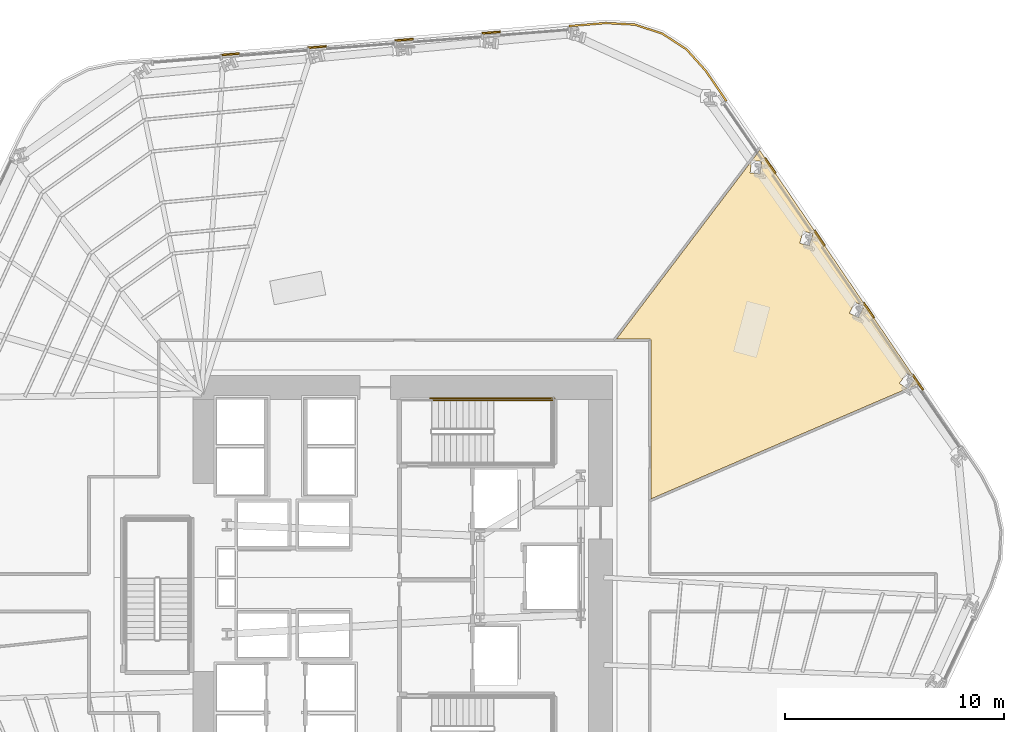
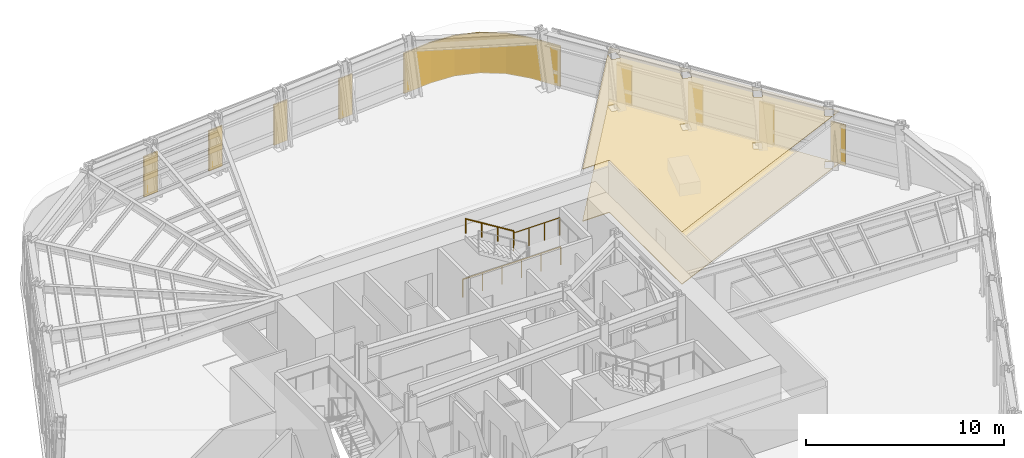
# One storey, part 14 of 15: 11 coverings, 3 railings.
"""IFC4 building model written with IfcOpenShell, lengths in metres."""

from ifc_helpers import new_model, si_unit, direction, frame, origin, origin_2d, place, context, subcontext, project, spatial, polyline, circle, outline, extrude, material, layer, layer_set, type_object, element, save


model = new_model("IFC4")

# Units and contexts
model_context = context("Model", 3, precision=1e-05, world=origin(), true_north=direction((0.0, 1.0)))
body_context = subcontext(model_context, "Body", "Model", "MODEL_VIEW")
ifc_project = project(units=[si_unit("LENGTHUNIT", "METRE"), si_unit("AREAUNIT", "SQUARE_METRE"), si_unit("VOLUMEUNIT", "CUBIC_METRE"), si_unit("PLANEANGLEUNIT", "RADIAN"), si_unit("MASSUNIT", "GRAM", prefix="KILO")], contexts=[model_context])

# Site, building, storey
site_placement = place(None, origin())
site = spatial("IfcSite", under=ifc_project, at=site_placement, CompositionType="ELEMENT")
building_placement = place(site_placement, origin())
building = spatial("IfcBuilding", under=site, at=building_placement, Name="Valkerne Bourse Tower", CompositionType="ELEMENT")
storey_placement = place(building_placement, frame((0.0, 0.0, 43.0)))
storey = spatial("IfcBuildingStorey", under=building, at=storey_placement, Name="L10", CompositionType="ELEMENT", Elevation=43.0)

# Coverings
ifc_material_1 = material(Name="Mineral Fiber Acoustic Ceiling Tile", Category="acoustic")
ifc_layer_1 = layer(ifc_material_1, 0.02490234375)
ifc_layer_set_1 = layer_set([ifc_layer_1], Name="Mineral Fiber Acoustic Ceiling Tile")
covering_type_1 = type_object("IfcCoveringType", Name="COV-CEIL-ACT", PredefinedType="CEILING", material=ifc_layer_set_1)
covering_1_placement = place(storey_placement, frame((0.0, 0.0, 3.22998046875)))
element("IfcCovering", 1, at=covering_1_placement, inside=storey, type_object=covering_type_1, Name="L10 Suspended Ceiling 05", PredefinedType="CEILING", context=body_context, shape_type="SweptSolid", body=[
    extrude(outline(polyline([(58.167236328125, 37.866455078125), (58.14599609375, 37.901611328125), (58.103515625, 37.9189453125), (56.591796875, 37.9189453125), (62.7587890625, 46.048583984375), (62.69580078125, 45.510986328125), (62.698486328125, 45.5087890625), (63.156494140625, 45.457275390625), (63.2236328125, 46.029296875), (63.220947265625, 46.03173828125), (62.783203125, 46.080810546875), (63.135009765625, 46.544677734375), (70.405029296875, 35.864013671875), (69.944580078125, 35.665771484375), (70.236328125, 36.087646484375), (70.235107421875, 36.091064453125), (69.854736328125, 36.3515625), (69.52685546875, 35.8779296875), (69.5283203125, 35.87451171875), (69.8759765625, 35.636474609375), (58.1689453125, 30.598388671875), (58.167236328125, 37.866455078125)]), holes=[polyline([(67.90771484375, 39.40576171875), (67.906005859375, 39.408935546875), (67.488525390625, 39.60498046875), (67.2412109375, 39.084716796875), (67.242919921875, 39.081787109375), (67.66015625, 38.885498046875), (67.90771484375, 39.40576171875)]), polyline([(65.569091796875, 42.72119140625), (65.56689453125, 42.723876953125), (65.122802734375, 42.848388671875), (64.96484375, 42.294189453125), (64.967041015625, 42.29150390625), (65.4111328125, 42.167236328125), (65.569091796875, 42.72119140625)])]), origin(), (0.0, 0.0, 1.0), 0.02490234375),
])
ifc_material_2 = material(Name="Bronze Anodised Aluminium AA 6063-T6", Category="aluminium")
ifc_layer_2 = layer(ifc_material_2, 0.06005859375)
ifc_layer_set_2 = layer_set([ifc_layer_2], Name="Bronze Anodised Aluminium AA 6063-T6")
covering_type_2 = type_object("IfcCoveringType", Name="COV-CRN-ALUM", PredefinedType="CLADDING", material=ifc_layer_set_2)
covering_2_placement = place(storey_placement, origin())
element("IfcCovering", 2, at=covering_2_placement, inside=storey, type_object=covering_type_2, Name="L10 Wind-Shaped Corner Aluminium Cladding 17", PredefinedType="CLADDING", context=body_context, shape_type="SweptSolid", body=[
    extrude(outline(polyline([(39.3193359375, 51.007568359375), (39.325439453125, 50.927734375), (38.48828125, 50.858154296875), (38.482177734375, 50.937744140625), (39.3193359375, 51.007568359375)])), origin(), (0.0, 0.0, 1.0), 2.5),
])
covering_3_placement = place(storey_placement, origin())
element("IfcCovering", 3, at=covering_3_placement, inside=storey, type_object=covering_type_2, Name="L10 Wind-Shaped Corner Aluminium Cladding 18", PredefinedType="CLADDING", context=body_context, shape_type="SweptSolid", body=[
    extrude(outline(polyline([(43.301513671875, 51.3388671875), (43.307861328125, 51.25927734375), (42.470703125, 51.189453125), (42.464599609375, 51.269287109375), (43.301513671875, 51.3388671875)])), origin(), (0.0, 0.0, 1.0), 2.5),
])
covering_4_placement = place(storey_placement, origin())
element("IfcCovering", 4, at=covering_4_placement, inside=storey, type_object=covering_type_2, Name="L10 Wind-Shaped Corner Aluminium Cladding 19", PredefinedType="CLADDING", context=body_context, shape_type="SweptSolid", body=[
    extrude(outline(polyline([(47.283935546875, 51.67041015625), (47.2900390625, 51.590576171875), (46.452880859375, 51.52099609375), (46.44677734375, 51.6005859375), (47.283935546875, 51.67041015625)])), origin(), (0.0, 0.0, 1.0), 2.5),
])
covering_5_placement = place(storey_placement, origin())
element("IfcCovering", 5, at=covering_5_placement, inside=storey, type_object=covering_type_2, Name="L10 Wind-Shaped Corner Aluminium Cladding 20", PredefinedType="CLADDING", context=body_context, shape_type="SweptSolid", body=[
    extrude(outline(polyline([(51.26611328125, 52.001953125), (51.2724609375, 51.922119140625), (50.435302734375, 51.852294921875), (50.428955078125, 51.93212890625), (51.26611328125, 52.001953125)])), origin(), (0.0, 0.0, 1.0), 2.5),
])
covering_6_placement = place(storey_placement, origin())
element("IfcCovering", 6, at=covering_6_placement, inside=storey, type_object=covering_type_2, Name="L10 Wind-Shaped Corner Aluminium Cladding 21", PredefinedType="CLADDING", context=body_context, shape_type="SweptSolid", body=[
    extrude(outline(polyline([(56.085205078125, 52.403076171875), (57.4208984375, 52.3330078125), (58.68701171875, 51.921630859375), (59.803466796875, 51.196533203125), (60.6982421875, 50.20263671875), (61.6435546875, 48.81396484375), (61.57763671875, 48.7685546875), (60.63525390625, 50.153076171875), (59.7509765625, 51.13525390625), (58.652099609375, 51.848876953125), (57.40625, 52.253662109375), (56.086669921875, 52.32275390625), (54.41748046875, 52.183837890625), (54.411376953125, 52.263671875), (56.085205078125, 52.403076171875)])), origin(), (0.0, 0.0, 1.0), 2.5),
])
covering_7_placement = place(storey_placement, origin())
element("IfcCovering", 7, at=covering_7_placement, inside=storey, type_object=covering_type_2, Name="L10 Wind-Shaped Corner Aluminium Cladding 22", PredefinedType="CLADDING", context=body_context, shape_type="SweptSolid", body=[
    extrude(outline(polyline([(63.89208984375, 45.510498046875), (63.826171875, 45.46533203125), (63.353515625, 46.15966796875), (63.41943359375, 46.205078125), (63.89208984375, 45.510498046875)])), origin(), (0.0, 0.0, 1.0), 2.5),
])
covering_8_placement = place(storey_placement, origin())
element("IfcCovering", 8, at=covering_8_placement, inside=storey, type_object=covering_type_2, Name="L10 Wind-Shaped Corner Aluminium Cladding 23", PredefinedType="CLADDING", context=body_context, shape_type="SweptSolid", body=[
    extrude(outline(polyline([(66.140625, 42.207275390625), (66.07470703125, 42.161865234375), (65.60205078125, 42.856201171875), (65.66796875, 42.901611328125), (66.140625, 42.207275390625)])), origin(), (0.0, 0.0, 1.0), 2.5),
])
covering_9_placement = place(storey_placement, origin())
element("IfcCovering", 9, at=covering_9_placement, inside=storey, type_object=covering_type_2, Name="L10 Wind-Shaped Corner Aluminium Cladding 24", PredefinedType="CLADDING", context=body_context, shape_type="SweptSolid", body=[
    extrude(outline(polyline([(68.38916015625, 38.90380859375), (68.3232421875, 38.858642578125), (67.8505859375, 39.552978515625), (67.91650390625, 39.598388671875), (68.38916015625, 38.90380859375)])), origin(), (0.0, 0.0, 1.0), 2.5),
])
covering_10_placement = place(storey_placement, origin())
element("IfcCovering", 10, at=covering_10_placement, inside=storey, type_object=covering_type_2, Name="L10 Wind-Shaped Corner Aluminium Cladding 25", PredefinedType="CLADDING", context=body_context, shape_type="SweptSolid", body=[
    extrude(outline(polyline([(70.6376953125, 35.6005859375), (70.57177734375, 35.55517578125), (70.09912109375, 36.24951171875), (70.1650390625, 36.294921875), (70.6376953125, 35.6005859375)])), origin(), (0.0, 0.0, 1.0), 2.5),
])
ifc_material_3 = material(Name="Galvanised Painted Steel", Category="steel")
ifc_layer_3 = layer(ifc_material_3, 0.044921875)
ifc_layer_set_3 = layer_set([ifc_layer_3], Name="Galvanised Painted Steel")
covering_type_3 = type_object("IfcCoveringType", Name="COV-FLR-RAF", PredefinedType="FLOORING", material=ifc_layer_set_3)
covering_11_placement = place(storey_placement, origin())
element("IfcCovering", 11, at=covering_11_placement, inside=storey, type_object=covering_type_3, Name="L10 Floor Finish 05", PredefinedType="FLOORING", context=body_context, shape_type="SweptSolid", body=[
    extrude(outline(polyline([(58.167236328125, 37.866455078125), (58.14599609375, 37.901611328125), (58.103515625, 37.9189453125), (56.591796875, 37.9189453125), (62.7587890625, 46.048583984375), (62.69580078125, 45.510986328125), (62.698486328125, 45.5087890625), (63.156494140625, 45.457275390625), (63.2236328125, 46.029296875), (63.220947265625, 46.03173828125), (62.783203125, 46.080810546875), (63.135009765625, 46.544677734375), (70.405029296875, 35.864013671875), (69.944580078125, 35.665771484375), (70.236328125, 36.087646484375), (70.235107421875, 36.091064453125), (69.854736328125, 36.3515625), (69.52685546875, 35.8779296875), (69.5283203125, 35.87451171875), (69.8759765625, 35.636474609375), (58.1689453125, 30.598388671875), (58.167236328125, 37.866455078125)]), holes=[polyline([(67.90771484375, 39.40576171875), (67.906005859375, 39.408935546875), (67.488525390625, 39.60498046875), (67.2412109375, 39.084716796875), (67.242919921875, 39.081787109375), (67.66015625, 38.885498046875), (67.90771484375, 39.40576171875)]), polyline([(65.569091796875, 42.72119140625), (65.56689453125, 42.723876953125), (65.122802734375, 42.848388671875), (64.96484375, 42.294189453125), (64.967041015625, 42.29150390625), (65.4111328125, 42.167236328125), (65.569091796875, 42.72119140625)])]), origin(), (0.0, 0.0, 1.0), 0.044921875),
])

# Railings
railing_type_1 = type_object("IfcRailingType", Name="RLG-ST-GUARD-1120", PredefinedType="GUARDRAIL", material=ifc_material_3)
railing_1_placement = place(storey_placement, frame((50.949951171875, 35.10009765625, 1.89990234375)))
element("IfcRailing", 12, at=railing_1_placement, inside=storey, type_object=railing_type_1, Name="L10 ST-2 stair guard 4", PredefinedType="GUARDRAIL", context=body_context, shape_type="SweptSolid", body=[
    extrude(circle(Radius=0.02392578125, at=origin_2d()), frame((0.0, 0.0, 1.09619140625), z_axis=(1.0, 0.0, 0.0), x_axis=(0.0, 1.0, 0.0)), (0.0, 0.0, 1.0), 2.699951171875),
    extrude(circle(Radius=0.02099609375, at=origin_2d()), origin(), (0.0, 0.0, 1.0), 1.072021484375),
    extrude(circle(Radius=0.02099609375, at=origin_2d()), frame((0.89990234375, 0.0, 0.0)), (0.0, 0.0, 1.0), 1.072021484375),
    extrude(circle(Radius=0.02099609375, at=origin_2d()), frame((1.800048828125, 0.0, 0.0)), (0.0, 0.0, 1.0), 1.072021484375),
    extrude(circle(Radius=0.02099609375, at=origin_2d()), frame((2.699951171875, 0.0, 0.0)), (0.0, 0.0, 1.0), 1.072021484375),
])
railing_2_placement = place(storey_placement, frame((48.050048828125, 35.199951171875, 0.0)))
element("IfcRailing", 13, at=railing_2_placement, inside=storey, type_object=railing_type_1, Name="L10 ST-2 stair guard 11", PredefinedType="GUARDRAIL", context=body_context, shape_type="SweptSolid", body=[
    extrude(circle(Radius=0.02392578125, at=origin_2d()), frame((0.0, 0.0, 1.09619140625), z_axis=(1.0, 0.0, 0.0), x_axis=(0.0, 1.0, 0.0)), (0.0, 0.0, 1.0), 5.699951171875),
    extrude(circle(Radius=0.02099609375, at=origin_2d()), origin(), (0.0, 0.0, 1.0), 1.072021484375),
    extrude(circle(Radius=0.02099609375, at=origin_2d()), frame((1.139892578125, 0.0, 0.0)), (0.0, 0.0, 1.0), 1.072021484375),
    extrude(circle(Radius=0.02099609375, at=origin_2d()), frame((2.280029296875, 0.0, 0.0)), (0.0, 0.0, 1.0), 1.072021484375),
    extrude(circle(Radius=0.02099609375, at=origin_2d()), frame((3.419921875, 0.0, 0.0)), (0.0, 0.0, 1.0), 1.072021484375),
    extrude(circle(Radius=0.02099609375, at=origin_2d()), frame((4.56005859375, 0.0, 0.0)), (0.0, 0.0, 1.0), 1.072021484375),
    extrude(circle(Radius=0.02099609375, at=origin_2d()), frame((5.699951171875, 0.0, 0.0)), (0.0, 0.0, 1.0), 1.072021484375),
])
ifc_material_4 = material(Name="Stainless Steel AISI 316", Category="steel")
railing_type_2 = type_object("IfcRailingType", Name="RLG-ST-HANDRAIL-900", PredefinedType="HANDRAIL", material=ifc_material_4)
railing_3_placement = place(storey_placement, frame((50.949951171875, 35.10009765625, 2.245361328125)))
element("IfcRailing", 14, at=railing_3_placement, inside=storey, type_object=railing_type_2, Name="L10 ST-2 stair handrail 2", PredefinedType="HANDRAIL", context=body_context, shape_type="SweptSolid", body=[
    extrude(circle(Radius=0.02392578125, at=origin_2d()), frame((0.0, 0.0, 0.8759765625), z_axis=(-0.851089632645, 0.0, 0.525020415988), x_axis=(0.0, -1.0, 0.0)), (0.0, 0.0, 1.0), 3.2900390625),
    extrude(circle(Radius=0.02099609375, at=origin_2d()), origin(), (0.0, 0.0, 1.0), 0.851806640625),
    extrude(circle(Radius=0.02099609375, at=origin_2d()), frame((-0.933349609375, 0.0, 0.57568359375)), (0.0, 0.0, 1.0), 0.851806640625),
    extrude(circle(Radius=0.02099609375, at=origin_2d()), frame((-1.86669921875, 0.0, 1.151611328125)), (0.0, 0.0, 1.0), 0.851806640625),
    extrude(circle(Radius=0.02099609375, at=origin_2d()), frame((-2.800048828125, 0.0, 1.727294921875)), (0.0, 0.0, 1.0), 0.851806640625),
])

save(model, "model.ifc")
